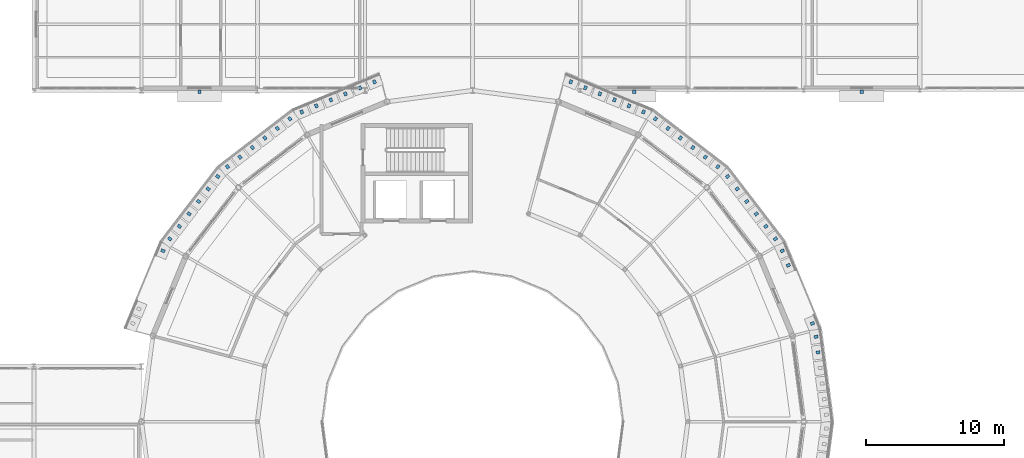
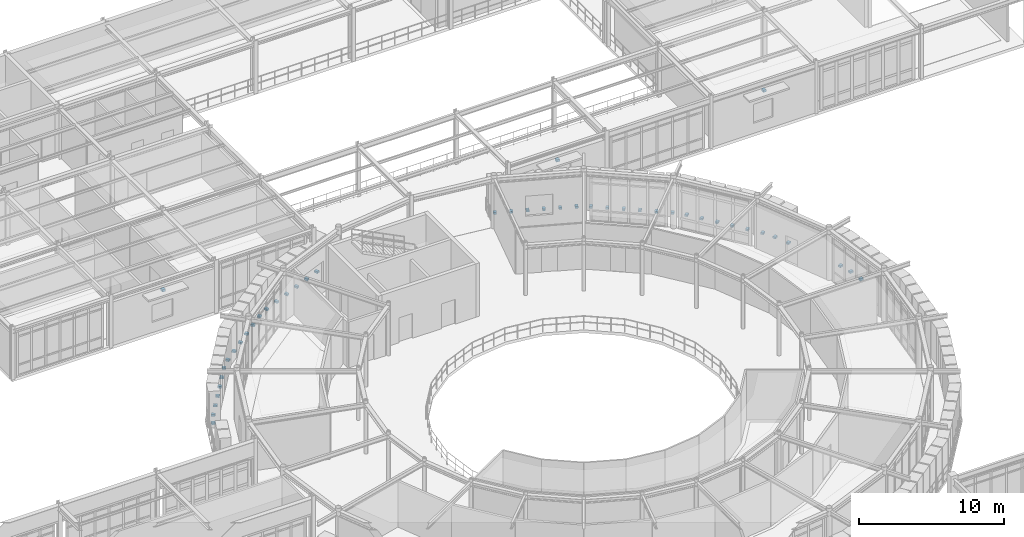
# One storey, part 95 of 106: 45 discrete accessories.
"""IFC4 building model written with IfcOpenShell, lengths in metres."""

from ifc_helpers import new_model, si_unit, derived_unit, direction, frame, origin, origin_2d, place, context, subcontext, project, spatial, rectangle, extrude, material, type_object, element, save


model = new_model("IFC4")

# Units and contexts
model_context = context("Model", 3, precision=1e-05, world=origin(), true_north=direction((0.0, 1.0)))
body_context = subcontext(model_context, "Body", "Model", "MODEL_VIEW")
ifc_project = project(units=[si_unit("LENGTHUNIT", "METRE"), si_unit("AREAUNIT", "SQUARE_METRE"), si_unit("VOLUMEUNIT", "CUBIC_METRE"), si_unit("PLANEANGLEUNIT", "RADIAN"), si_unit("MASSUNIT", "GRAM", prefix="KILO"), derived_unit("THERMALTRANSMITTANCEUNIT", [(si_unit("POWERUNIT", "WATT"), 1), (si_unit("AREAUNIT", "SQUARE_METRE"), -1), (si_unit("THERMODYNAMICTEMPERATUREUNIT", "KELVIN"), -1)])], contexts=[model_context])

# Site, building, storey
site_placement = place(None, origin())
site = spatial("IfcSite", under=ifc_project, at=site_placement, CompositionType="ELEMENT")
building_placement = place(site_placement, origin())
building = spatial("IfcBuilding", under=site, at=building_placement, Name="Yasenodar Specialist Clinic", CompositionType="ELEMENT")
storey_placement = place(building_placement, frame((0.0, 0.0, 4.5)))
storey = spatial("IfcBuildingStorey", under=building, at=storey_placement, Name="L01", CompositionType="ELEMENT", Elevation=4.5)

# Discrete accessories
ifc_material = material(Name="Steel S355", Category="steel")
discrete_accessory_type_1 = type_object("IfcDiscreteAccessoryType", Name="ACC-BRK-CHJ", PredefinedType="BRACKET", material=ifc_material)
for number, where, z_axis, x_axis, name in (
    (1, (109.199951171875, 82.719970703125, 3.337890625), (0.0, 0.0, 1.0), (-1.0, 0.0, 0.0), "L01 Sunshade Fixing Bracket 0449"),
    (2, (92.699951171875, 82.719970703125, 3.23779296875), (0.0, 0.0, 1.0), (-1.0, 0.0, 0.0), "L01 Sunshade Fixing Bracket 0450"),
    (3, (61.199951171875, 82.719970703125, 3.2880859375), (0.0, 0.0, 1.0), (-1.0, 0.0, 0.0), "L01 Sunshade Fixing Bracket 0451"),
):
    element("IfcDiscreteAccessory", number, at=place(storey_placement, frame(where, z_axis=z_axis, x_axis=x_axis)), inside=storey, type_object=discrete_accessory_type_1, Name=name, PredefinedType="BRACKET", context=body_context, shape_type="SweptSolid", body=[
        extrude(rectangle(XDim=0.239990234375, YDim=0.260009765625, at=origin_2d()), origin(), (0.0, 0.0, 1.0), 0.199951171875),
    ])
discrete_accessory_type_2 = type_object("IfcDiscreteAccessoryType", Name="ACC-BRK-STEEL", PredefinedType="BRACKET", material=ifc_material)
for number, where, z_axis, x_axis, name in (
    (4, (106.034912109375, 63.820556640625, -0.02001953125), (0.0, 0.0, 1.0), (-0.130519185854, 0.991445783754, 0.0), "L01 Jali Shutter Base Guide Bracket 0005"),
    (5, (105.885986328125, 64.95068359375, -0.02001953125), (0.0, 0.0, 1.0), (-0.130519185854, 0.991445783754, 0.0), "L01 Jali Shutter Base Guide Bracket 0006"),
    (6, (105.627197265625, 65.916259765625, -0.02001953125), (0.0, 0.0, 1.0), (-0.382686667195, 0.923878192594, 0.0), "L01 Jali Shutter Base Guide Bracket 0007"),
    (7, (103.88232421875, 70.12890625, -0.02001953125), (0.0, 0.0, 1.0), (-0.382686667195, 0.923878192594, 0.0), "L01 Jali Shutter Base Guide Bracket 0008"),
    (8, (103.446044921875, 71.18212890625, -0.02001953125), (0.0, 0.0, 1.0), (-0.382686667195, 0.923878192594, 0.0), "L01 Jali Shutter Base Guide Bracket 0009"),
    (9, (102.9462890625, 72.0478515625, -0.02001953125), (0.0, 0.0, 1.0), (-0.608764217148, 0.793351200869, 0.0), "L01 Jali Shutter Base Guide Bracket 0010"),
    (10, (102.252197265625, 72.9521484375, -0.02001953125), (0.0, 0.0, 1.0), (-0.608764217148, 0.793351200869, 0.0), "L01 Jali Shutter Base Guide Bracket 0011"),
    (11, (101.558349609375, 73.8564453125, -0.02001953125), (0.0, 0.0, 1.0), (-0.608764217148, 0.793351200869, 0.0), "L01 Jali Shutter Base Guide Bracket 0012"),
    (12, (100.864501953125, 74.760986328125, -0.02001953125), (0.0, 0.0, 1.0), (-0.608764217148, 0.793351200869, 0.0), "L01 Jali Shutter Base Guide Bracket 0013"),
    (13, (100.17041015625, 75.665283203125, -0.02001953125), (0.0, 0.0, 1.0), (-0.608764217148, 0.793351200869, 0.0), "L01 Jali Shutter Base Guide Bracket 0014"),
    (14, (99.4765625, 76.569580078125, -0.02001953125), (0.0, 0.0, 1.0), (-0.608764217148, 0.793351200869, 0.0), "L01 Jali Shutter Base Guide Bracket 0015"),
    (15, (98.76953125, 77.276611328125, -0.02001953125), (0.0, 0.0, 1.0), (-0.793351200869, 0.608764217148, 0.0), "L01 Jali Shutter Base Guide Bracket 0016"),
    (16, (97.865234375, 77.970458984375, -0.02001953125), (0.0, 0.0, 1.0), (-0.793351200869, 0.608764217148, 0.0), "L01 Jali Shutter Base Guide Bracket 0017"),
    (17, (96.9609375, 78.664306640625, -0.02001953125), (0.0, 0.0, 1.0), (-0.793351200869, 0.608764217148, 0.0), "L01 Jali Shutter Base Guide Bracket 0018"),
    (18, (96.056396484375, 79.3583984375, -0.02001953125), (0.0, 0.0, 1.0), (-0.793351200869, 0.608764217148, 0.0), "L01 Jali Shutter Base Guide Bracket 0019"),
    (19, (95.152099609375, 80.05224609375, -0.02001953125), (0.0, 0.0, 1.0), (-0.793351200869, 0.608764217148, 0.0), "L01 Jali Shutter Base Guide Bracket 0020"),
    (20, (94.247802734375, 80.74609375, -0.02001953125), (0.0, 0.0, 1.0), (-0.793351200869, 0.608764217148, 0.0), "L01 Jali Shutter Base Guide Bracket 0021"),
    (21, (93.382080078125, 81.24609375, -0.02001953125), (0.0, 0.0, 1.0), (-0.923878192594, 0.382686667195, 0.0), "L01 Jali Shutter Base Guide Bracket 0022"),
    (22, (92.328857421875, 81.682373046875, -0.02001953125), (0.0, 0.0, 1.0), (-0.923878192594, 0.382686667195, 0.0), "L01 Jali Shutter Base Guide Bracket 0023"),
    (23, (91.27587890625, 82.118408203125, -0.02001953125), (0.0, 0.0, 1.0), (-0.923878192594, 0.382686667195, 0.0), "L01 Jali Shutter Base Guide Bracket 0024"),
    (24, (90.22265625, 82.5546875, -0.02001953125), (0.0, 0.0, 1.0), (-0.923878192594, 0.382686667195, 0.0), "L01 Jali Shutter Base Guide Bracket 0025"),
    (25, (89.16943359375, 82.990966796875, -0.02001953125), (0.0, 0.0, 1.0), (-0.923878192594, 0.382686667195, 0.0), "L01 Jali Shutter Base Guide Bracket 0026"),
    (26, (88.1162109375, 83.42724609375, -0.02001953125), (0.0, 0.0, 1.0), (-0.923878192594, 0.382686667195, 0.0), "L01 Jali Shutter Base Guide Bracket 0027"),
    (27, (73.8837890625, 83.42724609375, -0.02001953125), (0.0, 0.0, 1.0), (-0.923878192594, -0.382686667195, 0.0), "L01 Jali Shutter Base Guide Bracket 0028"),
    (28, (72.83056640625, 82.990966796875, -0.02001953125), (0.0, 0.0, 1.0), (-0.923878192594, -0.382686667195, 0.0), "L01 Jali Shutter Base Guide Bracket 0029"),
    (29, (71.77734375, 82.5546875, -0.02001953125), (0.0, 0.0, 1.0), (-0.923878192594, -0.382686667195, 0.0), "L01 Jali Shutter Base Guide Bracket 0030"),
    (30, (70.72412109375, 82.118408203125, -0.02001953125), (0.0, 0.0, 1.0), (-0.923878192594, -0.382686667195, 0.0), "L01 Jali Shutter Base Guide Bracket 0031"),
    (31, (69.671142578125, 81.682373046875, -0.02001953125), (0.0, 0.0, 1.0), (-0.923878192594, -0.382686667195, 0.0), "L01 Jali Shutter Base Guide Bracket 0032"),
    (32, (68.617919921875, 81.24609375, -0.02001953125), (0.0, 0.0, 1.0), (-0.923878192594, -0.382686667195, 0.0), "L01 Jali Shutter Base Guide Bracket 0033"),
    (33, (67.752197265625, 80.74609375, -0.02001953125), (0.0, 0.0, 1.0), (-0.793351200869, -0.608764217148, 0.0), "L01 Jali Shutter Base Guide Bracket 0034"),
    (34, (66.847900390625, 80.05224609375, -0.02001953125), (0.0, 0.0, 1.0), (-0.793351200869, -0.608764217148, 0.0), "L01 Jali Shutter Base Guide Bracket 0035"),
    (35, (65.943603515625, 79.3583984375, -0.02001953125), (0.0, 0.0, 1.0), (-0.793351200869, -0.608764217148, 0.0), "L01 Jali Shutter Base Guide Bracket 0036"),
    (36, (65.0390625, 78.664306640625, -0.02001953125), (0.0, 0.0, 1.0), (-0.793351200869, -0.608764217148, 0.0), "L01 Jali Shutter Base Guide Bracket 0037"),
    (37, (64.134765625, 77.970458984375, -0.02001953125), (0.0, 0.0, 1.0), (-0.793351200869, -0.608764217148, 0.0), "L01 Jali Shutter Base Guide Bracket 0038"),
    (38, (63.23046875, 77.276611328125, -0.02001953125), (0.0, 0.0, 1.0), (-0.793351200869, -0.608764217148, 0.0), "L01 Jali Shutter Base Guide Bracket 0039"),
    (39, (62.5234375, 76.569580078125, -0.02001953125), (0.0, 0.0, 1.0), (-0.608764217148, -0.793351200869, 0.0), "L01 Jali Shutter Base Guide Bracket 0040"),
    (40, (61.82958984375, 75.665283203125, -0.02001953125), (0.0, 0.0, 1.0), (-0.608764217148, -0.793351200869, 0.0), "L01 Jali Shutter Base Guide Bracket 0041"),
    (41, (61.135498046875, 74.760986328125, -0.02001953125), (0.0, 0.0, 1.0), (-0.608764217148, -0.793351200869, 0.0), "L01 Jali Shutter Base Guide Bracket 0042"),
    (42, (60.441650390625, 73.8564453125, -0.02001953125), (0.0, 0.0, 1.0), (-0.608764217148, -0.793351200869, 0.0), "L01 Jali Shutter Base Guide Bracket 0043"),
    (43, (59.747802734375, 72.9521484375, -0.02001953125), (0.0, 0.0, 1.0), (-0.608764217148, -0.793351200869, 0.0), "L01 Jali Shutter Base Guide Bracket 0044"),
    (44, (59.0537109375, 72.0478515625, -0.02001953125), (0.0, 0.0, 1.0), (-0.608764217148, -0.793351200869, 0.0), "L01 Jali Shutter Base Guide Bracket 0045"),
    (45, (58.553955078125, 71.18212890625, -0.02001953125), (0.0, 0.0, 1.0), (-0.382686667195, -0.923878192594, 0.0), "L01 Jali Shutter Base Guide Bracket 0046"),
):
    element("IfcDiscreteAccessory", number, at=place(storey_placement, frame(where, z_axis=z_axis, x_axis=x_axis)), inside=storey, type_object=discrete_accessory_type_2, Name=name, PredefinedType="BRACKET", context=body_context, shape_type="SweptSolid", body=[
        extrude(rectangle(XDim=0.219970703125, YDim=0.280029296875, at=origin_2d()), origin(), (0.0, 0.0, 1.0), 0.159912109375),
    ])

save(model, "model.ifc")
